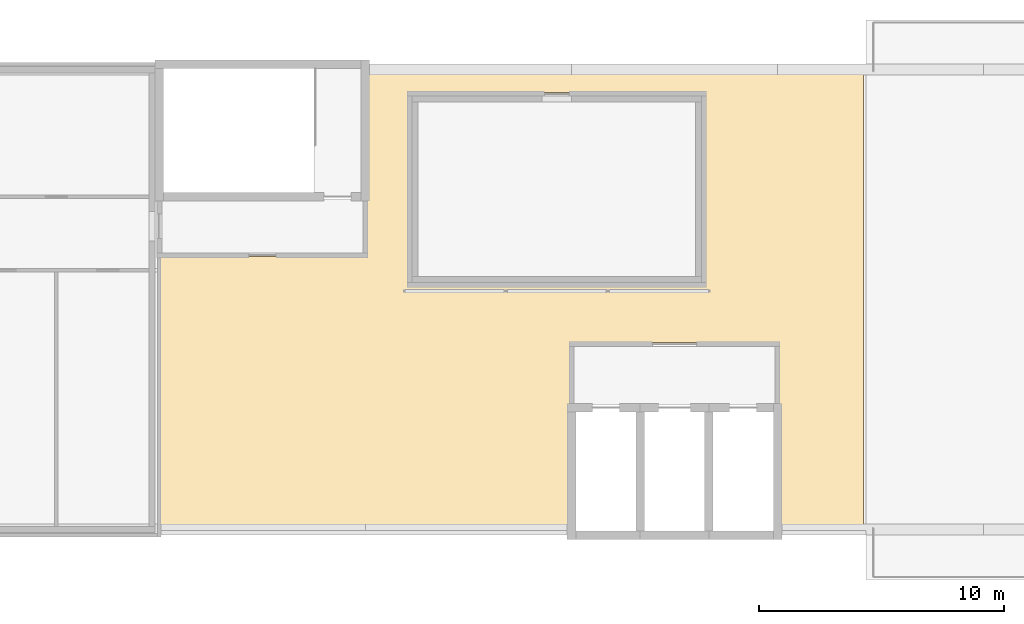
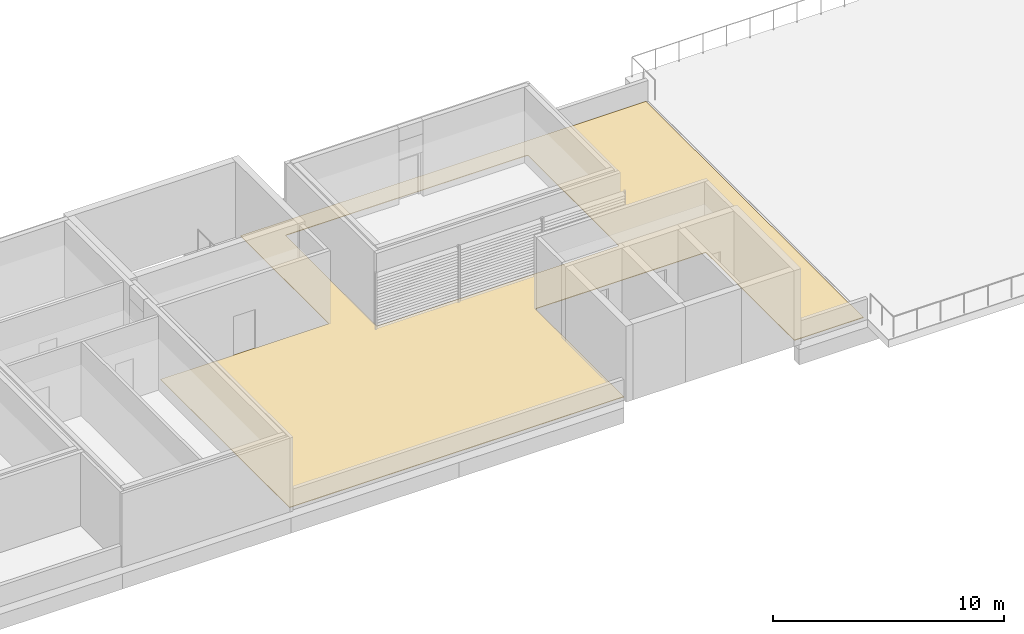
# One storey, part 11 of 13: 1 covering.
"""IFC4 building model written with IfcOpenShell, lengths in metres."""

from ifc_helpers import new_model, si_unit, direction, frame, origin, place, context, subcontext, project, spatial, polyline, outline, extrude, material, layer, layer_set, type_object, element, save


model = new_model("IFC4")

# Units and contexts
model_context = context("Model", 3, precision=1e-05, world=origin(), true_north=direction((0.0, 1.0)))
body_context = subcontext(model_context, "Body", "Model", "MODEL_VIEW")
ifc_project = project(units=[si_unit("LENGTHUNIT", "METRE"), si_unit("AREAUNIT", "SQUARE_METRE"), si_unit("VOLUMEUNIT", "CUBIC_METRE"), si_unit("PLANEANGLEUNIT", "RADIAN"), si_unit("MASSUNIT", "GRAM", prefix="KILO")], contexts=[model_context])

# Site, building, storey
site_placement = place(None, origin())
site = spatial("IfcSite", under=ifc_project, at=site_placement, CompositionType="ELEMENT")
building_placement = place(site_placement, origin())
building = spatial("IfcBuilding", under=site, at=building_placement, Name="Bougainvillea Quay General Hospital", CompositionType="ELEMENT")
storey_placement = place(building_placement, frame((0.0, 0.0, 36.60009765625)))
storey = spatial("IfcBuildingStorey", under=building, at=storey_placement, Name="L08", CompositionType="ELEMENT", Elevation=36.60009765625)

# Covering
ifc_material = material(Name="Bitumen roofing membrane with mineral cap sheet, dark grey")
ifc_layer = layer(ifc_material, 0.030029296875)
ifc_layer_set = layer_set([ifc_layer], Name="Bitumen roofing membrane with mineral cap sheet, dark grey")
covering_type = type_object("IfcCoveringType", Name="Roof membrane 30", PredefinedType="ROOFING", material=ifc_layer_set)
covering_placement = place(storey_placement, origin())
element("IfcCovering", 1, at=covering_placement, inside=storey, type_object=covering_type, Name="Roof membrane 0 2", PredefinedType="ROOFING", context=body_context, shape_type="SweptSolid", body=[
    extrude(outline(polyline([(163.10009765625, 159.39990234375), (163.10009765625, 140.60009765625), (159.64990234375, 140.60009765625), (159.64990234375, 148.199951171875), (159.649658203125, 148.204833984375), (159.64892578125, 148.209716796875), (159.64794921875, 148.214599609375), (159.646240234375, 148.21923828125), (159.64404296875, 148.2236328125), (159.6416015625, 148.227783203125), (159.638671875, 148.231689453125), (159.63525390625, 148.2353515625), (159.6318359375, 148.23876953125), (159.627685546875, 148.241455078125), (159.62353515625, 148.244140625), (159.619140625, 148.24609375), (159.614501953125, 148.247802734375), (159.60986328125, 148.2490234375), (159.60498046875, 148.249755859375), (159.60009765625, 148.25), (151.199951171875, 148.25), (151.195068359375, 148.249755859375), (151.190185546875, 148.2490234375), (151.185546875, 148.247802734375), (151.180908203125, 148.24609375), (151.176513671875, 148.244140625), (151.172119140625, 148.241455078125), (151.168212890625, 148.23876953125), (151.16455078125, 148.2353515625), (151.161376953125, 148.231689453125), (151.158447265625, 148.227783203125), (151.156005859375, 148.2236328125), (151.15380859375, 148.21923828125), (151.152099609375, 148.214599609375), (151.15087890625, 148.209716796875), (151.150146484375, 148.204833984375), (151.14990234375, 148.199951171875), (151.14990234375, 140.60009765625), (134.449951171875, 140.60009765625), (134.449951171875, 151.75), (142.800048828125, 151.75), (142.804931640625, 151.750244140625), (142.809814453125, 151.7509765625), (142.814453125, 151.752197265625), (142.819091796875, 151.75390625), (142.823486328125, 151.755859375), (142.827880859375, 151.758544921875), (142.831787109375, 151.76123046875), (142.83544921875, 151.7646484375), (142.838623046875, 151.768310546875), (142.841552734375, 151.772216796875), (142.843994140625, 151.7763671875), (142.84619140625, 151.78076171875), (142.847900390625, 151.785400390625), (142.84912109375, 151.790283203125), (142.849853515625, 151.795166015625), (142.85009765625, 151.800048828125), (142.85009765625, 159.39990234375), (163.10009765625, 159.39990234375)]), holes=[polyline([(144.60009765625, 158.449951171875), (144.59521484375, 158.44970703125), (144.59033203125, 158.448974609375), (144.58544921875, 158.44775390625), (144.580810546875, 158.4462890625), (144.576416015625, 158.444091796875), (144.572265625, 158.441650390625), (144.568359375, 158.438720703125), (144.564697265625, 158.435302734375), (144.561279296875, 158.431640625), (144.558349609375, 158.427734375), (144.555908203125, 158.423583984375), (144.5537109375, 158.419189453125), (144.55224609375, 158.41455078125), (144.551025390625, 158.40966796875), (144.55029296875, 158.40478515625), (144.550048828125, 158.39990234375), (144.550048828125, 150.60009765625), (144.55029296875, 150.59521484375), (144.551025390625, 150.59033203125), (144.55224609375, 150.58544921875), (144.5537109375, 150.580810546875), (144.555908203125, 150.576416015625), (144.558349609375, 150.572265625), (144.561279296875, 150.568359375), (144.564697265625, 150.564697265625), (144.568359375, 150.561279296875), (144.572265625, 150.558349609375), (144.576416015625, 150.555908203125), (144.580810546875, 150.5537109375), (144.58544921875, 150.55224609375), (144.59033203125, 150.551025390625), (144.59521484375, 150.55029296875), (144.60009765625, 150.550048828125), (156.60009765625, 150.550048828125), (156.60498046875, 150.55029296875), (156.60986328125, 150.551025390625), (156.614501953125, 150.55224609375), (156.619140625, 150.5537109375), (156.62353515625, 150.555908203125), (156.627685546875, 150.558349609375), (156.6318359375, 150.561279296875), (156.63525390625, 150.564697265625), (156.638671875, 150.568359375), (156.6416015625, 150.572265625), (156.64404296875, 150.576416015625), (156.646240234375, 150.580810546875), (156.64794921875, 150.58544921875), (156.64892578125, 150.59033203125), (156.649658203125, 150.59521484375), (156.64990234375, 150.60009765625), (156.64990234375, 158.39990234375), (156.649658203125, 158.40478515625), (156.64892578125, 158.40966796875), (156.64794921875, 158.41455078125), (156.646240234375, 158.419189453125), (156.64404296875, 158.423583984375), (156.6416015625, 158.427734375), (156.638671875, 158.431640625), (156.63525390625, 158.435302734375), (156.6318359375, 158.438720703125), (156.627685546875, 158.441650390625), (156.62353515625, 158.444091796875), (156.619140625, 158.4462890625), (156.614501953125, 158.44775390625), (156.60986328125, 158.448974609375), (156.60498046875, 158.44970703125), (156.60009765625, 158.449951171875), (144.60009765625, 158.449951171875)])]), origin(), (0.0, 0.0, 1.0), 0.02978515625),
])

save(model, "model.ifc")
